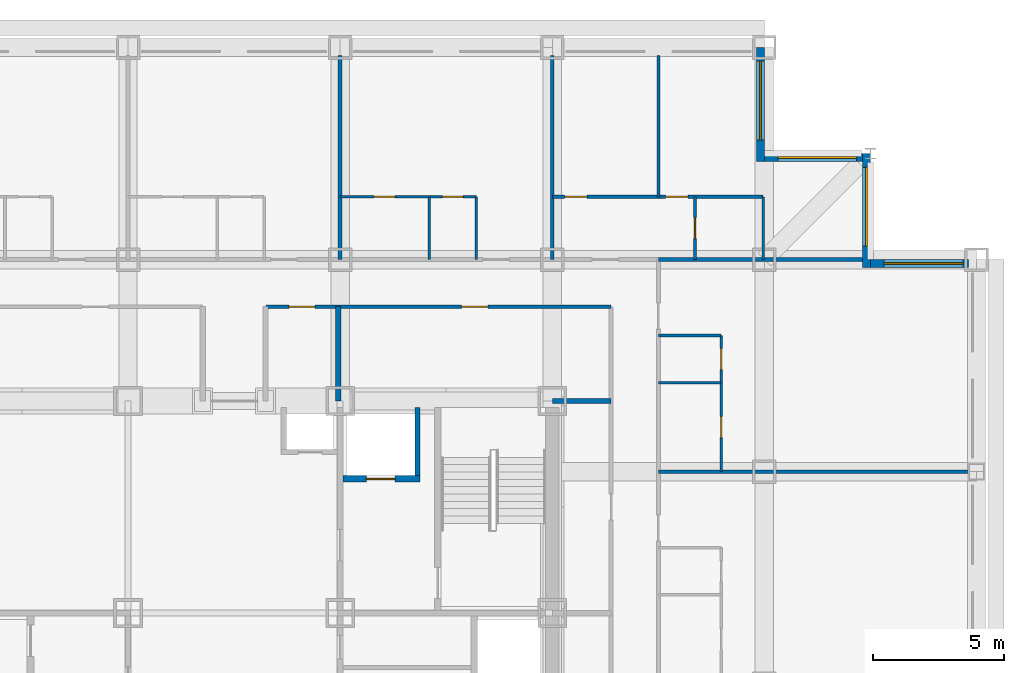
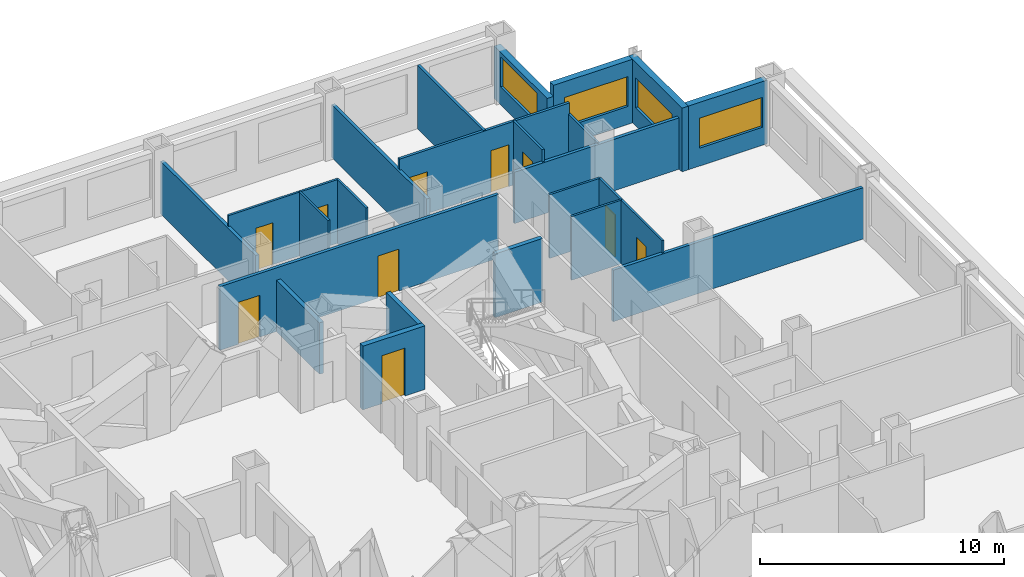
# One storey, part 10 of 12: 23 walls, 10 doors, 4 windows, 14 openings.
"""IFC4 building model written with IfcOpenShell, lengths in metres."""

from ifc_helpers import new_model, si_unit, direction, frame, frame_2d, origin, place, context, subcontext, project, spatial, rectangle, extrude, material, layer, layer_set, type_object, element, fill, save


model = new_model("IFC4")

# Units and contexts
model_context = context("Model", 3, precision=1e-05, world=origin(), true_north=direction((0.0, 1.0)))
body_context = subcontext(model_context, "Body", "Model", "MODEL_VIEW")
ifc_project = project(units=[si_unit("LENGTHUNIT", "METRE"), si_unit("AREAUNIT", "SQUARE_METRE"), si_unit("VOLUMEUNIT", "CUBIC_METRE"), si_unit("PLANEANGLEUNIT", "RADIAN"), si_unit("MASSUNIT", "GRAM", prefix="KILO")], contexts=[model_context])

# Site, building, storey
site_placement = place(None, origin())
site = spatial("IfcSite", under=ifc_project, at=site_placement, CompositionType="ELEMENT")
building_placement = place(site_placement, origin())
building = spatial("IfcBuilding", under=site, at=building_placement, Name="Kopane Lantern Tower", CompositionType="ELEMENT")
storey_placement = place(building_placement, frame((0.0, 0.0, 103.39990234375)))
storey = spatial("IfcBuildingStorey", under=building, at=storey_placement, Name="L25", CompositionType="ELEMENT", Elevation=103.39990234375)

# Wall, openings, doors
ifc_material_1 = material(Name="Gypsum board on steel studs", Category="steel")
ifc_layer_1 = layer(ifc_material_1, 0.1201171875)
ifc_layer_set_1 = layer_set([ifc_layer_1], Name="APARTMENT INTERNAL WALL 120")
wall_type_1 = type_object("IfcWallType", Name="APARTMENT INTERNAL WALL 120", PredefinedType="PARTITIONING", material=ifc_layer_set_1)
wall_1_placement = place(storey_placement, frame((40.5, 48.300048828125, 0.0), z_axis=(0.0, 0.0, 1.0), x_axis=(1.0, 0.0, 0.0)))
wall_1 = element("IfcWall", 1, at=wall_1_placement, inside=storey, type_object=wall_type_1, Name="Apartment Internal Wall 120 L25", PredefinedType="PARTITIONING", context=body_context, shape_type="SweptSolid", body=[
    extrude(rectangle(XDim=8.050048828125, YDim=0.1201171875, at=frame_2d((4.02490234375, 0.0))), origin(), (0.0, 0.0, 1.0), 3.190185546875),
])
opening_1_placement = place(wall_1_placement, frame((0.47509765625, 0.0, 0.0)))
opening_1 = element("IfcOpeningElement", 2, at=opening_1_placement, cuts=wall_1, Name="Opening L25-060", PredefinedType="OPENING", context=body_context, shape_type="SweptSolid", body=[
    extrude(rectangle(XDim=0.85009765625, YDim=2.10009765625, at=frame_2d((0.425048828125, 1.050048828125))), frame((0.0, 0.070068359375, 0.0), z_axis=(0.0, -1.0, 0.0), x_axis=(1.0, 0.0, 0.0)), (0.0, 0.0, 1.0), 0.14013671875),
])
opening_2_placement = place(wall_1_placement, frame((4.324951171875, 0.0, 0.0)))
opening_2 = element("IfcOpeningElement", 3, at=opening_2_placement, cuts=wall_1, Name="Opening L25-062", PredefinedType="OPENING", context=body_context, shape_type="SweptSolid", body=[
    extrude(rectangle(XDim=0.85009765625, YDim=2.10009765625, at=frame_2d((0.425048828125, 1.050048828125))), frame((0.0, 0.070068359375, 0.0), z_axis=(0.0, -1.0, 0.0), x_axis=(1.0, 0.0, 0.0)), (0.0, 0.0, 1.0), 0.14013671875),
])
ifc_material_2 = material(Name="Timber door set", Category="wood")
door_type_1 = type_object("IfcDoorType", Name="DOOR D4 850x2100", OperationType="SINGLE_SWING_LEFT", PredefinedType="DOOR", material=ifc_material_2)
door_1_placement = place(opening_1_placement, origin())
door_1 = element("IfcDoor", 4, at=door_1_placement, inside=storey, type_object=door_type_1, Name="Door L25-060", OperationType="SINGLE_SWING_RIGHT", OverallHeight=2.10009765625, OverallWidth=0.85009765625, PredefinedType="DOOR", context=body_context, shape_type="SweptSolid", body=[
    extrude(rectangle(XDim=0.85009765625, YDim=2.10009765625, at=frame_2d((0.425048828125, 1.050048828125))), frame((0.0, 0.02490234375, 0.0), z_axis=(0.0, -1.0, 0.0), x_axis=(1.0, 0.0, 0.0)), (0.0, 0.0, 1.0), 0.050048828125),
])
fill(opening_1, door_1)
door_2_placement = place(opening_2_placement, origin())
door_2 = element("IfcDoor", 5, at=door_2_placement, inside=storey, type_object=door_type_1, Name="Door L25-062", OperationType="SINGLE_SWING_LEFT", OverallHeight=2.10009765625, OverallWidth=0.85009765625, PredefinedType="DOOR", context=body_context, shape_type="SweptSolid", body=[
    extrude(rectangle(XDim=0.85009765625, YDim=2.10009765625, at=frame_2d((0.425048828125, 1.050048828125))), frame((0.0, 0.02490234375, 0.0), z_axis=(0.0, -1.0, 0.0), x_axis=(1.0, 0.0, 0.0)), (0.0, 0.0, 1.0), 0.050048828125),
])
fill(opening_2, door_2)

# Wall
wall_2_placement = place(storey_placement, frame((44.550048828125, 48.300048828125, 0.0), z_axis=(0.0, 0.0, 1.0), x_axis=(0.0, 1.0, 0.0)))
element("IfcWall", 6, at=wall_2_placement, inside=storey, type_object=wall_type_1, Name="Apartment Internal Wall 120 L25", PredefinedType="PARTITIONING", context=body_context, shape_type="SweptSolid", body=[
    extrude(rectangle(XDim=5.39990234375, YDim=0.1201171875, at=frame_2d((2.699951171875, 0.0))), origin(), (0.0, 0.0, 1.0), 3.190185546875),
])

# Wall, openings, doors
ifc_material_3 = material(Name="Moisture-resistant board on steel studs", Category="steel")
ifc_layer_2 = layer(ifc_material_3, 0.10009765625)
ifc_layer_set_2 = layer_set([ifc_layer_2], Name="BATHROOM WALL 100")
wall_type_2 = type_object("IfcWallType", Name="BATHROOM WALL 100", PredefinedType="PARTITIONING", material=ifc_layer_set_2)
wall_3_placement = place(storey_placement, frame((32.39990234375, 48.300048828125, 0.0), z_axis=(0.0, 0.0, 1.0), x_axis=(1.0, 0.0, 0.0)))
wall_3 = element("IfcWall", 7, at=wall_3_placement, inside=storey, type_object=wall_type_2, Name="Bathroom Wall 100 L25", PredefinedType="PARTITIONING", context=body_context, shape_type="SweptSolid", body=[
    extrude(rectangle(XDim=5.2001953125, YDim=0.10009765625, at=frame_2d((2.60009765625, 0.0))), origin(), (0.0, 0.0, 1.0), 3.190185546875),
])
opening_3_placement = place(wall_3_placement, frame((1.300048828125, 0.0, 0.0)))
opening_3 = element("IfcOpeningElement", 8, at=opening_3_placement, cuts=wall_3, Name="Opening L25-027", PredefinedType="OPENING", context=body_context, shape_type="SweptSolid", body=[
    extrude(rectangle(XDim=0.800048828125, YDim=2.10009765625, at=frame_2d((0.39990234375, 1.050048828125))), frame((0.0, 0.06005859375, 0.0), z_axis=(0.0, -1.0, 0.0), x_axis=(1.0, 0.0, 0.0)), (0.0, 0.0, 1.0), 0.1201171875),
])
opening_4_placement = place(wall_3_placement, frame((3.89990234375, 0.0, 0.0)))
opening_4 = element("IfcOpeningElement", 9, at=opening_4_placement, cuts=wall_3, Name="Opening L25-028", PredefinedType="OPENING", context=body_context, shape_type="SweptSolid", body=[
    extrude(rectangle(XDim=0.800048828125, YDim=2.10009765625, at=frame_2d((0.39990234375, 1.050048828125))), frame((0.0, 0.06005859375, 0.0), z_axis=(0.0, -1.0, 0.0), x_axis=(1.0, 0.0, 0.0)), (0.0, 0.0, 1.0), 0.1201171875),
])
ifc_material_4 = material(Name="Timber door set", Category="wood")
door_type_2 = type_object("IfcDoorType", Name="DOOR D2 800x2100", OperationType="SINGLE_SWING_LEFT", PredefinedType="DOOR", material=ifc_material_4)
door_3_placement = place(opening_3_placement, origin())
door_3 = element("IfcDoor", 10, at=door_3_placement, inside=storey, type_object=door_type_2, Name="Door L25-027", OperationType="SINGLE_SWING_LEFT", OverallHeight=2.10009765625, OverallWidth=0.800048828125, PredefinedType="DOOR", context=body_context, shape_type="SweptSolid", body=[
    extrude(rectangle(XDim=0.800048828125, YDim=2.10009765625, at=frame_2d((0.39990234375, 1.050048828125))), frame((0.0, 0.02490234375, 0.0), z_axis=(0.0, -1.0, 0.0), x_axis=(1.0, 0.0, 0.0)), (0.0, 0.0, 1.0), 0.050048828125),
])
fill(opening_3, door_3)
door_4_placement = place(opening_4_placement, origin())
door_4 = element("IfcDoor", 11, at=door_4_placement, inside=storey, type_object=door_type_2, Name="Door L25-028", OperationType="SINGLE_SWING_LEFT", OverallHeight=2.10009765625, OverallWidth=0.800048828125, PredefinedType="DOOR", context=body_context, shape_type="SweptSolid", body=[
    extrude(rectangle(XDim=0.800048828125, YDim=2.10009765625, at=frame_2d((0.39990234375, 1.050048828125))), frame((0.0, 0.02490234375, 0.0), z_axis=(0.0, -1.0, 0.0), x_axis=(1.0, 0.0, 0.0)), (0.0, 0.0, 1.0), 0.050048828125),
])
fill(opening_4, door_4)

# Walls
for number, where, z_axis, x_axis, name in (
    (12, (35.800048828125, 45.89990234375, 0.0), (0.0, 0.0, 1.0), (0.0, 1.0, 0.0), "Bathroom Wall 100 L25"),
    (13, (37.60009765625, 45.89990234375, 0.0), (0.0, 0.0, 1.0), (0.0, 1.0, 0.0), "Bathroom Wall 100 L25"),
):
    element("IfcWall", number, at=place(storey_placement, frame(where, z_axis=z_axis, x_axis=x_axis)), inside=storey, type_object=wall_type_2, Name=name, PredefinedType="PARTITIONING", context=body_context, shape_type="SweptSolid", body=[
        extrude(rectangle(XDim=2.400146484375, YDim=0.10009765625, at=frame_2d((1.2001953125, 0.0))), origin(), (0.0, 0.0, 1.0), 3.190185546875),
    ])

# Wall, openings, doors
wall_4_placement = place(storey_placement, frame((46.949951171875, 37.800048828125, 0.0), z_axis=(0.0, 0.0, 1.0), x_axis=(0.0, 1.0, 0.0)))
wall_4 = element("IfcWall", 14, at=wall_4_placement, inside=storey, type_object=wall_type_2, Name="Bathroom Wall 100 L25", PredefinedType="PARTITIONING", context=body_context, shape_type="SweptSolid", body=[
    extrude(rectangle(XDim=5.199951171875, YDim=0.10009765625, at=frame_2d((2.60009765625, 0.0))), origin(), (0.0, 0.0, 1.0), 3.190185546875),
])
opening_5_placement = place(wall_4_placement, frame((1.300048828125, 0.0, 0.0)))
opening_5 = element("IfcOpeningElement", 15, at=opening_5_placement, cuts=wall_4, Name="Opening L25-046", PredefinedType="OPENING", context=body_context, shape_type="SweptSolid", body=[
    extrude(rectangle(XDim=0.800048828125, YDim=2.10009765625, at=frame_2d((0.39990234375, 1.050048828125))), frame((0.0, 0.06005859375, 0.0), z_axis=(0.0, -1.0, 0.0), x_axis=(1.0, 0.0, 0.0)), (0.0, 0.0, 1.0), 0.1201171875),
])
opening_6_placement = place(wall_4_placement, frame((3.89990234375, 0.0, 0.0)))
opening_6 = element("IfcOpeningElement", 16, at=opening_6_placement, cuts=wall_4, Name="Opening L25-047", PredefinedType="OPENING", context=body_context, shape_type="SweptSolid", body=[
    extrude(rectangle(XDim=0.800048828125, YDim=2.10009765625, at=frame_2d((0.39990234375, 1.050048828125))), frame((0.0, 0.06005859375, 0.0), z_axis=(0.0, -1.0, 0.0), x_axis=(1.0, 0.0, 0.0)), (0.0, 0.0, 1.0), 0.1201171875),
])
door_5_placement = place(opening_5_placement, origin())
door_5 = element("IfcDoor", 17, at=door_5_placement, inside=storey, type_object=door_type_2, Name="Door L25-046", OperationType="SINGLE_SWING_RIGHT", OverallHeight=2.10009765625, OverallWidth=0.800048828125, PredefinedType="DOOR", context=body_context, shape_type="SweptSolid", body=[
    extrude(rectangle(XDim=0.800048828125, YDim=2.10009765625, at=frame_2d((0.39990234375, 1.050048828125))), frame((0.0, 0.02490234375, 0.0), z_axis=(0.0, -1.0, 0.0), x_axis=(1.0, 0.0, 0.0)), (0.0, 0.0, 1.0), 0.050048828125),
])
fill(opening_5, door_5)
door_6_placement = place(opening_6_placement, origin())
door_6 = element("IfcDoor", 18, at=door_6_placement, inside=storey, type_object=door_type_2, Name="Door L25-047", OperationType="SINGLE_SWING_RIGHT", OverallHeight=2.10009765625, OverallWidth=0.800048828125, PredefinedType="DOOR", context=body_context, shape_type="SweptSolid", body=[
    extrude(rectangle(XDim=0.800048828125, YDim=2.10009765625, at=frame_2d((0.39990234375, 1.050048828125))), frame((0.0, 0.02490234375, 0.0), z_axis=(0.0, -1.0, 0.0), x_axis=(1.0, 0.0, 0.0)), (0.0, 0.0, 1.0), 0.050048828125),
])
fill(opening_6, door_6)

# Walls
for number, where, z_axis, x_axis, name in (
    (19, (44.550048828125, 41.199951171875, 0.0), (0.0, 0.0, 1.0), (1.0, 0.0, 0.0), "Bathroom Wall 100 L25"),
    (20, (44.550048828125, 43.0, 0.0), (0.0, 0.0, 1.0), (1.0, 0.0, 0.0), "Bathroom Wall 100 L25"),
):
    element("IfcWall", number, at=place(storey_placement, frame(where, z_axis=z_axis, x_axis=x_axis)), inside=storey, type_object=wall_type_2, Name=name, PredefinedType="PARTITIONING", context=body_context, shape_type="SweptSolid", body=[
        extrude(rectangle(XDim=2.39990234375, YDim=0.10009765625, at=frame_2d((1.199951171875, 0.0))), origin(), (0.0, 0.0, 1.0), 3.190185546875),
    ])

# Wall, opening, door
wall_5_placement = place(storey_placement, frame((45.949951171875, 45.89990234375, 0.0), z_axis=(0.0, 0.0, 1.0), x_axis=(0.0, 1.0, 0.0)))
wall_5 = element("IfcWall", 21, at=wall_5_placement, inside=storey, type_object=wall_type_2, Name="Bathroom Wall 100 L25", PredefinedType="PARTITIONING", context=body_context, shape_type="SweptSolid", body=[
    extrude(rectangle(XDim=2.400146484375, YDim=0.10009765625, at=frame_2d((1.2001953125, 0.0))), origin(), (0.0, 0.0, 1.0), 3.190185546875),
])
opening_7_placement = place(wall_5_placement, frame((0.800048828125, 0.0, 0.0)))
opening_7 = element("IfcOpeningElement", 22, at=opening_7_placement, cuts=wall_5, Name="Opening L25-061", PredefinedType="OPENING", context=body_context, shape_type="SweptSolid", body=[
    extrude(rectangle(XDim=0.800048828125, YDim=2.10009765625, at=frame_2d((0.39990234375, 1.050048828125))), frame((0.0, 0.06005859375, 0.0), z_axis=(0.0, -1.0, 0.0), x_axis=(1.0, 0.0, 0.0)), (0.0, 0.0, 1.0), 0.1201171875),
])
door_7_placement = place(opening_7_placement, origin())
door_7 = element("IfcDoor", 23, at=door_7_placement, inside=storey, type_object=door_type_2, Name="Door L25-061", OperationType="SINGLE_SWING_RIGHT", OverallHeight=2.10009765625, OverallWidth=0.800048828125, PredefinedType="DOOR", context=body_context, shape_type="SweptSolid", body=[
    extrude(rectangle(XDim=0.800048828125, YDim=2.10009765625, at=frame_2d((0.39990234375, 1.050048828125))), frame((0.0, 0.02490234375, 0.0), z_axis=(0.0, -1.0, 0.0), x_axis=(1.0, 0.0, 0.0)), (0.0, 0.0, 1.0), 0.050048828125),
])
fill(opening_7, door_7)

# Wall
wall_6_placement = place(storey_placement, frame((48.550048828125, 45.89990234375, 0.0), z_axis=(0.0, 0.0, 1.0), x_axis=(0.0, 1.0, 0.0)))
element("IfcWall", 24, at=wall_6_placement, inside=storey, type_object=wall_type_2, Name="Bathroom Wall 100 L25", PredefinedType="PARTITIONING", context=body_context, shape_type="SweptSolid", body=[
    extrude(rectangle(XDim=2.400146484375, YDim=0.10009765625, at=frame_2d((1.2001953125, 0.0))), origin(), (0.0, 0.0, 1.0), 2.64013671875),
])

# Wall, opening, door
ifc_material_5 = material(Name="Gypsum shaft wall EI 120", Category="gypsum")
ifc_layer_3 = layer(ifc_material_5, 0.25)
ifc_layer_set_3 = layer_set([ifc_layer_3], Name="CORE SHAFT WALL 250 EI 120")
wall_type_3 = type_object("IfcWallType", Name="CORE SHAFT WALL 250 EI 120", PredefinedType="SOLIDWALL", material=ifc_layer_set_3)
wall_7_placement = place(storey_placement, frame((32.5, 37.52490234375, 0.0), z_axis=(0.0, 0.0, 1.0), x_axis=(1.0, 0.0, 0.0)))
wall_7 = element("IfcWall", 25, at=wall_7_placement, inside=storey, type_object=wall_type_3, Name="Core shaft wall L25 YLF2", PredefinedType="SOLIDWALL", context=body_context, shape_type="SweptSolid", body=[
    extrude(rectangle(XDim=2.949951171875, YDim=0.25, at=frame_2d((1.47509765625, 0.0))), origin(), (0.0, 0.0, 1.0), 3.190185546875),
])
opening_8_placement = place(wall_7_placement, frame((0.89990234375, 0.0, 0.0)))
opening_8 = element("IfcOpeningElement", 26, at=opening_8_placement, cuts=wall_7, Name="Opening 25.LD-LF2", PredefinedType="OPENING", context=body_context, shape_type="SweptSolid", body=[
    extrude(rectangle(XDim=1.10009765625, YDim=2.39990234375, at=frame_2d((0.550048828125, 1.199951171875))), frame((0.0, 0.135009765625, 0.0), z_axis=(0.0, -1.0, 0.0), x_axis=(1.0, 0.0, 0.0)), (0.0, 0.0, 1.0), 0.27001953125),
])
ifc_material_6 = material(Name="Steel door set", Category="steel")
door_type_3 = type_object("IfcDoorType", Name="LIFT LANDING DOOR 1100x2400 FD60", OperationType="DOUBLE_DOOR_SLIDING", PredefinedType="DOOR", material=ifc_material_6)
door_8_placement = place(opening_8_placement, origin())
door_8 = element("IfcDoor", 27, at=door_8_placement, inside=storey, type_object=door_type_3, Name="Landing door LF2 L25", OperationType="DOUBLE_DOOR_SLIDING", OverallHeight=2.39990234375, OverallWidth=1.10009765625, PredefinedType="DOOR", context=body_context, shape_type="SweptSolid", body=[
    extrude(rectangle(XDim=1.10009765625, YDim=2.39990234375, at=frame_2d((0.550048828125, 1.199951171875))), frame((0.0, 0.02490234375, 0.0), z_axis=(0.0, -1.0, 0.0), x_axis=(1.0, 0.0, 0.0)), (0.0, 0.0, 1.0), 0.050048828125),
])
fill(opening_8, door_8)

# Wall, openings, doors
ifc_material_7 = material(Name="Gypsum board on steel studs", Category="steel")
ifc_layer_4 = layer(ifc_material_7, 0.14990234375)
ifc_layer_set_4 = layer_set([ifc_layer_4], Name="CORRIDOR WALL 150 EI 60")
wall_type_4 = type_object("IfcWallType", Name="CORRIDOR WALL 150 EI 60", PredefinedType="PARTITIONING", material=ifc_layer_set_4)
wall_8_placement = place(storey_placement, frame((42.75, 44.10009765625, 0.0), z_axis=(0.0, 0.0, 1.0), x_axis=(-1.0, 0.0, 0.0)))
wall_8 = element("IfcWall", 28, at=wall_8_placement, inside=storey, type_object=wall_type_4, Name="Corridor Wall 150 Ei 60 L25", PredefinedType="PARTITIONING", context=body_context, shape_type="SweptSolid", body=[
    extrude(rectangle(XDim=13.18994140625, YDim=0.14990234375, at=frame_2d((6.594970703125, 0.0))), origin(), (0.0, 0.0, 1.0), 3.190185546875),
])
opening_9_placement = place(wall_8_placement, frame((11.31103515625, 0.0, 0.0)))
opening_9 = element("IfcOpeningElement", 29, at=opening_9_placement, cuts=wall_8, Name="Opening L25-007", PredefinedType="OPENING", context=body_context, shape_type="SweptSolid", body=[
    extrude(rectangle(XDim=1.0, YDim=2.10009765625, at=frame_2d((0.5, 1.050048828125))), frame((0.0, 0.0849609375, 0.0), z_axis=(0.0, -1.0, 0.0), x_axis=(1.0, 0.0, 0.0)), (0.0, 0.0, 1.0), 0.169921875),
])
opening_10_placement = place(wall_8_placement, frame((4.711181640625, 0.0, 0.0)))
opening_10 = element("IfcOpeningElement", 30, at=opening_10_placement, cuts=wall_8, Name="Opening L25-008", PredefinedType="OPENING", context=body_context, shape_type="SweptSolid", body=[
    extrude(rectangle(XDim=1.0, YDim=2.10009765625, at=frame_2d((0.5, 1.050048828125))), frame((0.0, 0.0849609375, 0.0), z_axis=(0.0, -1.0, 0.0), x_axis=(1.0, 0.0, 0.0)), (0.0, 0.0, 1.0), 0.169921875),
])
ifc_material_8 = material(Name="Steel door set", Category="steel")
door_type_4 = type_object("IfcDoorType", Name="DOOR D5 1000x2100 FD60", OperationType="SINGLE_SWING_LEFT", PredefinedType="DOOR", material=ifc_material_8)
door_9_placement = place(opening_9_placement, origin())
door_9 = element("IfcDoor", 31, at=door_9_placement, inside=storey, type_object=door_type_4, Name="Door L25-007", OperationType="SINGLE_SWING_RIGHT", OverallHeight=2.10009765625, OverallWidth=1.0, PredefinedType="DOOR", context=body_context, shape_type="SweptSolid", body=[
    extrude(rectangle(XDim=1.0, YDim=2.10009765625, at=frame_2d((0.5, 1.050048828125))), frame((0.0, 0.02490234375, 0.0), z_axis=(0.0, -1.0, 0.0), x_axis=(1.0, 0.0, 0.0)), (0.0, 0.0, 1.0), 0.050048828125),
])
fill(opening_9, door_9)
door_10_placement = place(opening_10_placement, origin())
door_10 = element("IfcDoor", 32, at=door_10_placement, inside=storey, type_object=door_type_4, Name="Door L25-008", OperationType="SINGLE_SWING_LEFT", OverallHeight=2.10009765625, OverallWidth=1.0, PredefinedType="DOOR", context=body_context, shape_type="SweptSolid", body=[
    extrude(rectangle(XDim=1.0, YDim=2.10009765625, at=frame_2d((0.5, 1.050048828125))), frame((0.0, 0.02490234375, 0.0), z_axis=(0.0, -1.0, 0.0), x_axis=(1.0, 0.0, 0.0)), (0.0, 0.0, 1.0), 0.050048828125),
])
fill(opening_10, door_10)

# Walls
ifc_material_9 = material(Name="Gypsum board on steel studs", Category="steel")
ifc_layer_5 = layer(ifc_material_9, 0.14990234375)
ifc_layer_set_5 = layer_set([ifc_layer_5], Name="DEMISING WALL 150 EI 60")
wall_type_5 = type_object("IfcWallType", Name="DEMISING WALL 150 EI 60", PredefinedType="PARTITIONING", material=ifc_layer_set_5)
wall_9_placement = place(storey_placement, frame((32.39990234375, 45.89990234375, 0.0), z_axis=(0.0, 0.0, 1.0), x_axis=(0.0, 1.0, 0.0)))
element("IfcWall", 33, at=wall_9_placement, inside=storey, type_object=wall_type_5, Name="Demising Wall 150 Ei 60 L25", PredefinedType="PARTITIONING", context=body_context, shape_type="SweptSolid", body=[
    extrude(rectangle(XDim=7.800048828125, YDim=0.14990234375, at=frame_2d((3.89990234375, 0.0))), origin(), (0.0, 0.0, 1.0), 2.64013671875),
])
wall_10_placement = place(storey_placement, frame((44.550048828125, 37.800048828125, 0.0), z_axis=(0.0, 0.0, 1.0), x_axis=(1.0, 0.0, 0.0)))
element("IfcWall", 34, at=wall_10_placement, inside=storey, type_object=wall_type_5, Name="Demising Wall 150 Ei 60 L25", PredefinedType="PARTITIONING", context=body_context, shape_type="SweptSolid", body=[
    extrude(rectangle(XDim=11.849853515625, YDim=0.14990234375, at=frame_2d((5.9248046875, 0.0))), origin(), (0.0, 0.0, 1.0), 2.577880859375),
])
wall_11_placement = place(storey_placement, frame((44.550048828125, 45.89990234375, 0.0), z_axis=(0.0, 0.0, 1.0), x_axis=(1.0, 0.0, 0.0)))
element("IfcWall", 35, at=wall_11_placement, inside=storey, type_object=wall_type_5, Name="Demising Wall 150 Ei 60 L25", PredefinedType="PARTITIONING", context=body_context, shape_type="SweptSolid", body=[
    extrude(rectangle(XDim=7.800048828125, YDim=0.14990234375, at=frame_2d((3.89990234375, 0.0))), origin(), (0.0, 0.0, 1.0), 2.577880859375),
])
wall_12_placement = place(storey_placement, frame((40.5, 45.89990234375, 0.0), z_axis=(0.0, 0.0, 1.0), x_axis=(0.0, 1.0, 0.0)))
element("IfcWall", 36, at=wall_12_placement, inside=storey, type_object=wall_type_5, Name="Demising Wall 150 Ei 60 L25", PredefinedType="PARTITIONING", context=body_context, shape_type="SweptSolid", body=[
    extrude(rectangle(XDim=7.800048828125, YDim=0.14990234375, at=frame_2d((3.89990234375, 0.0))), origin(), (0.0, 0.0, 1.0), 2.64013671875),
])

# Wall, opening, window
ifc_material_10 = material(Name="Terracotta rainscreen on light steel framing", Category="masonry")
ifc_layer_6 = layer(ifc_material_10, 0.300048828125)
ifc_layer_set_6 = layer_set([ifc_layer_6], Name="EXTERNAL WALL EW1 300 TERRACOTTA")
wall_type_6 = type_object("IfcWallType", Name="EXTERNAL WALL EW1 300 TERRACOTTA", PredefinedType="SOLIDWALL", material=ifc_layer_set_6)
wall_13_placement = place(storey_placement, frame((56.39990234375, 45.75, 0.0), z_axis=(0.0, 0.0, 1.0), x_axis=(-1.0, 0.0, 0.0)))
wall_13 = element("IfcWall", 37, at=wall_13_placement, inside=storey, type_object=wall_type_6, Name="External wall N L25", PredefinedType="SOLIDWALL", context=body_context, shape_type="SweptSolid", body=[
    extrude(rectangle(XDim=3.75, YDim=0.300048828125, at=frame_2d((1.875, 0.0))), origin(), (0.0, 0.0, 1.0), 3.190185546875),
])
opening_11_placement = place(wall_13_placement, frame((0.22509765625, 0.0, 0.89990234375)))
opening_11 = element("IfcOpeningElement", 38, at=opening_11_placement, cuts=wall_13, Name="Opening WR300150", PredefinedType="OPENING", context=body_context, shape_type="SweptSolid", body=[
    extrude(rectangle(XDim=3.0, YDim=1.5, at=frame_2d((1.5, 0.75))), frame((0.0, 0.159912109375, 0.0), z_axis=(0.0, -1.0, 0.0), x_axis=(1.0, 0.0, 0.0)), (0.0, 0.0, 1.0), 0.320068359375),
])
ifc_material_11 = material(Name="Aluminium and clear glass", Category="aluminium")
window_type = type_object("IfcWindowType", Name="RIBBON WINDOW WR300150 3000x1500", PartitioningType="SINGLE_PANEL", PredefinedType="WINDOW", material=ifc_material_11)
window_1_placement = place(opening_11_placement, origin())
window_1 = element("IfcWindow", 39, at=window_1_placement, inside=storey, type_object=window_type, Name="Window N L25", OverallHeight=1.5, OverallWidth=3.0, PartitioningType="SINGLE_PANEL", PredefinedType="WINDOW", context=body_context, shape_type="SweptSolid", body=[
    extrude(rectangle(XDim=3.0, YDim=1.5, at=frame_2d((1.5, 0.75))), frame((0.0, 0.030029296875, 0.0), z_axis=(0.0, -1.0, 0.0), x_axis=(1.0, 0.0, 0.0)), (0.0, 0.0, 1.0), 0.06005859375),
])
fill(opening_11, window_1)

wall_14_placement = place(storey_placement, frame((52.5, 45.60009765625, 0.0), z_axis=(0.0, 0.0, 1.0), x_axis=(0.0, 1.0, 0.0)))
wall_14 = element("IfcWall", 40, at=wall_14_placement, inside=storey, type_object=wall_type_6, Name="External wall E L25", PredefinedType="SOLIDWALL", context=body_context, shape_type="SweptSolid", body=[
    extrude(rectangle(XDim=4.349853515625, YDim=0.300048828125, at=frame_2d((2.1748046875, 0.0))), origin(), (0.0, 0.0, 1.0), 3.190185546875),
])
opening_12_placement = place(wall_14_placement, frame((0.824951171875, 0.0, 0.89990234375)))
opening_12 = element("IfcOpeningElement", 41, at=opening_12_placement, cuts=wall_14, Name="Opening WR300150", PredefinedType="OPENING", context=body_context, shape_type="SweptSolid", body=[
    extrude(rectangle(XDim=3.0, YDim=1.5, at=frame_2d((1.5, 0.75))), frame((0.0, 0.159912109375, 0.0), z_axis=(0.0, -1.0, 0.0), x_axis=(1.0, 0.0, 0.0)), (0.0, 0.0, 1.0), 0.320068359375),
])
window_2_placement = place(opening_12_placement, origin())
window_2 = element("IfcWindow", 42, at=window_2_placement, inside=storey, type_object=window_type, Name="Window E L25", OverallHeight=1.5, OverallWidth=3.0, PartitioningType="SINGLE_PANEL", PredefinedType="WINDOW", context=body_context, shape_type="SweptSolid", body=[
    extrude(rectangle(XDim=3.0, YDim=1.5, at=frame_2d((1.5, 0.75))), frame((0.0, 0.030029296875, 0.0), z_axis=(0.0, -1.0, 0.0), x_axis=(1.0, 0.0, 0.0)), (0.0, 0.0, 1.0), 0.06005859375),
])
fill(opening_12, window_2)

wall_15_placement = place(storey_placement, frame((52.35009765625, 49.800048828125, 0.0), z_axis=(0.0, 0.0, 1.0), x_axis=(-1.0, 0.0, 0.0)))
wall_15 = element("IfcWall", 43, at=wall_15_placement, inside=storey, type_object=wall_type_6, Name="External wall N L25", PredefinedType="SOLIDWALL", context=body_context, shape_type="SweptSolid", body=[
    extrude(rectangle(XDim=3.75, YDim=0.300048828125, at=frame_2d((1.875, 0.0))), origin(), (0.0, 0.0, 1.0), 3.190185546875),
])
opening_13_placement = place(wall_15_placement, frame((0.22509765625, 0.0, 0.89990234375)))
opening_13 = element("IfcOpeningElement", 44, at=opening_13_placement, cuts=wall_15, Name="Opening WR300150", PredefinedType="OPENING", context=body_context, shape_type="SweptSolid", body=[
    extrude(rectangle(XDim=3.0, YDim=1.5, at=frame_2d((1.5, 0.75))), frame((0.0, 0.159912109375, 0.0), z_axis=(0.0, -1.0, 0.0), x_axis=(1.0, 0.0, 0.0)), (0.0, 0.0, 1.0), 0.320068359375),
])
window_3_placement = place(opening_13_placement, origin())
window_3 = element("IfcWindow", 45, at=window_3_placement, inside=storey, type_object=window_type, Name="Window N L25", OverallHeight=1.5, OverallWidth=3.0, PartitioningType="SINGLE_PANEL", PredefinedType="WINDOW", context=body_context, shape_type="SweptSolid", body=[
    extrude(rectangle(XDim=3.0, YDim=1.5, at=frame_2d((1.5, 0.75))), frame((0.0, 0.030029296875, 0.0), z_axis=(0.0, -1.0, 0.0), x_axis=(1.0, 0.0, 0.0)), (0.0, 0.0, 1.0), 0.06005859375),
])
fill(opening_13, window_3)

wall_16_placement = place(storey_placement, frame((48.449951171875, 49.64990234375, 0.0), z_axis=(0.0, 0.0, 1.0), x_axis=(0.0, 1.0, 0.0)))
wall_16 = element("IfcWall", 46, at=wall_16_placement, inside=storey, type_object=wall_type_6, Name="External wall E L25", PredefinedType="SOLIDWALL", context=body_context, shape_type="SweptSolid", body=[
    extrude(rectangle(XDim=4.35009765625, YDim=0.300048828125, at=frame_2d((2.175048828125, 0.0))), origin(), (0.0, 0.0, 1.0), 2.64013671875),
])
opening_14_placement = place(wall_16_placement, frame((0.824951171875, 0.0, 0.89990234375)))
opening_14 = element("IfcOpeningElement", 47, at=opening_14_placement, cuts=wall_16, Name="Opening WR300150", PredefinedType="OPENING", context=body_context, shape_type="SweptSolid", body=[
    extrude(rectangle(XDim=3.0, YDim=1.5, at=frame_2d((1.5, 0.75))), frame((0.0, 0.159912109375, 0.0), z_axis=(0.0, -1.0, 0.0), x_axis=(1.0, 0.0, 0.0)), (0.0, 0.0, 1.0), 0.320068359375),
])
window_4_placement = place(opening_14_placement, origin())
window_4 = element("IfcWindow", 48, at=window_4_placement, inside=storey, type_object=window_type, Name="Window E L25", OverallHeight=1.5, OverallWidth=3.0, PartitioningType="SINGLE_PANEL", PredefinedType="WINDOW", context=body_context, shape_type="SweptSolid", body=[
    extrude(rectangle(XDim=3.0, YDim=1.5, at=frame_2d((1.5, 0.75))), frame((0.0, 0.030029296875, 0.0), z_axis=(0.0, -1.0, 0.0), x_axis=(1.0, 0.0, 0.0)), (0.0, 0.0, 1.0), 0.06005859375),
])
fill(opening_14, window_4)

# Walls
ifc_material_12 = material(Name="Concrete masonry", Category="masonry")
ifc_layer_7 = layer(ifc_material_12, 0.199951171875)
ifc_layer_set_7 = layer_set([ifc_layer_7], Name="PLANT ROOM WALL 200 EI 120")
wall_type_7 = type_object("IfcWallType", Name="PLANT ROOM WALL 200 EI 120", PredefinedType="SOLIDWALL", material=ifc_layer_set_7)
wall_17_placement = place(storey_placement, frame((32.327880859375, 44.10009765625, 0.0), z_axis=(0.0, 0.0, 1.0), x_axis=(0.0, -1.0, 0.0)))
element("IfcWall", 49, at=wall_17_placement, inside=storey, type_object=wall_type_7, Name="Plant Room Wall 200 Ei 120 L25", PredefinedType="SOLIDWALL", context=body_context, shape_type="SweptSolid", body=[
    extrude(rectangle(XDim=3.60009765625, YDim=0.199951171875, at=frame_2d((1.800048828125, 0.0))), origin(), (0.0, 0.0, 1.0), 2.577880859375),
])
wall_18_placement = place(storey_placement, frame((40.5, 40.5, 0.0), z_axis=(0.0, 0.0, 1.0), x_axis=(1.0, 0.0, 0.0)))
element("IfcWall", 50, at=wall_18_placement, inside=storey, type_object=wall_type_7, Name="Plant Room Wall 200 Ei 120 L25", PredefinedType="SOLIDWALL", context=body_context, shape_type="SweptSolid", body=[
    extrude(rectangle(XDim=2.25, YDim=0.199951171875, at=frame_2d((1.125, 0.0))), origin(), (0.0, 0.0, 1.0), 3.190185546875),
])
ifc_material_13 = material(Name="Gypsum shaft wall EI 120", Category="gypsum")
ifc_layer_8 = layer(ifc_material_13, 0.199951171875)
ifc_layer_set_8 = layer_set([ifc_layer_8], Name="SHAFT WALL 200 EI 120")
wall_type_8 = type_object("IfcWallType", Name="SHAFT WALL 200 EI 120", PredefinedType="SOLIDWALL", material=ifc_layer_set_8)
wall_19_placement = place(storey_placement, frame((35.35009765625, 37.64990234375, 0.0), z_axis=(0.0, 0.0, 1.0), x_axis=(0.0, 1.0, 0.0)))
element("IfcWall", 51, at=wall_19_placement, inside=storey, type_object=wall_type_8, Name="Core shaft wall L25 XLF2", PredefinedType="SOLIDWALL", context=body_context, shape_type="SweptSolid", body=[
    extrude(rectangle(XDim=2.60009765625, YDim=0.199951171875, at=frame_2d((1.300048828125, 0.0))), origin(), (0.0, 0.0, 1.0), 3.190185546875),
])

save(model, "model.ifc")
